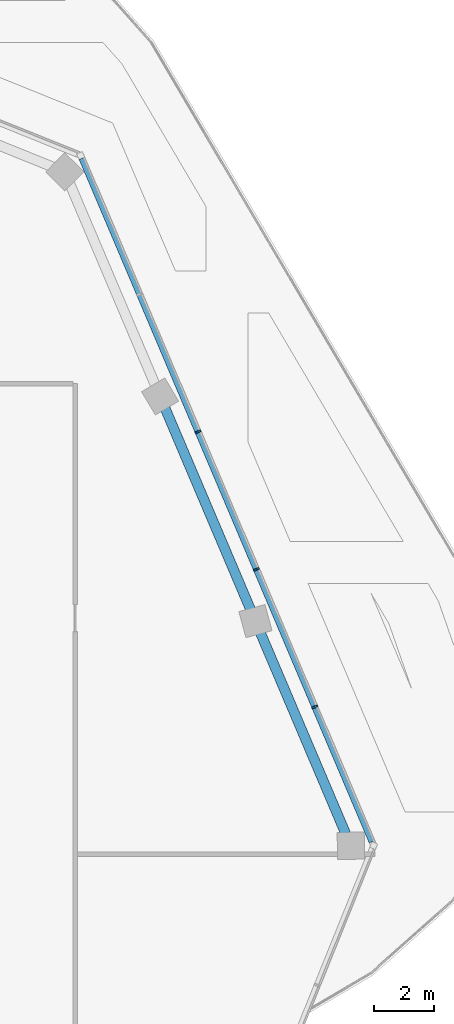
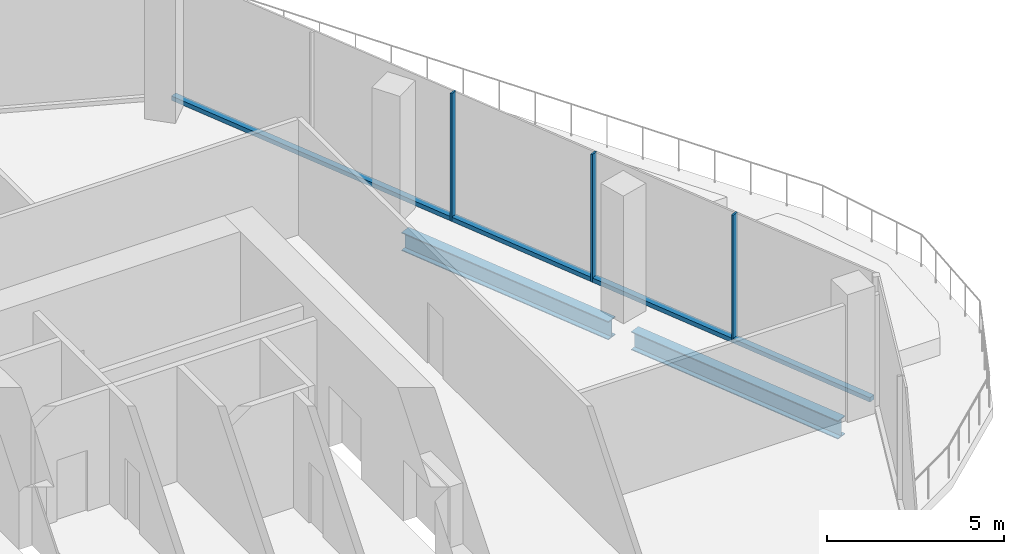
# One storey, part 8 of 15: 4 members, 2 beams, 1 element without a shape of its own.
"""IFC4 building model written with IfcOpenShell, lengths in metres."""

from ifc_helpers import new_model, si_unit, direction, frame, origin, origin_2d, place, context, subcontext, project, spatial, rectangle, i_section, extrude, material, material_profile, profile_set, type_object, element, aggregate, save


model = new_model("IFC4")

# Units and contexts
model_context = context("Model", 3, precision=1e-05, world=origin(), true_north=direction((0.0, 1.0)))
body_context = subcontext(model_context, "Body", "Model", "MODEL_VIEW")
ifc_project = project(units=[si_unit("LENGTHUNIT", "METRE"), si_unit("AREAUNIT", "SQUARE_METRE"), si_unit("VOLUMEUNIT", "CUBIC_METRE"), si_unit("PLANEANGLEUNIT", "RADIAN"), si_unit("MASSUNIT", "GRAM", prefix="KILO")], contexts=[model_context])

# Site, building, storey
site_placement = place(None, origin())
site = spatial("IfcSite", under=ifc_project, at=site_placement, CompositionType="ELEMENT")
building_placement = place(site_placement, origin())
building = spatial("IfcBuilding", under=site, at=building_placement, Name="Orlundy Tower", CompositionType="ELEMENT")
storey_placement = place(building_placement, frame((0.0, 0.0, 299.89990234375)))
storey = spatial("IfcBuildingStorey", under=building, at=storey_placement, Name="L80", CompositionType="ELEMENT", Elevation=299.89990234375)

# Curtain wall, members
ifc_material_1 = material(Name="Aluminium bronze anodised", Category="aluminium")
curtain_wall_type = type_object("IfcCurtainWallType", Name="CW4 wall", PredefinedType="NOTDEFINED", material=ifc_material_1)
curtain_wall_placement = place(storey_placement, origin())
curtain_wall = element("IfcCurtainWall", 1, at=curtain_wall_placement, inside=storey, type_object=curtain_wall_type, Name="CW4 run 00", PredefinedType="NOTDEFINED")
ifc_material_2 = material(Name="Aluminium bronze anodised", Category="aluminium")
ifc_material_profile_1 = material_profile(ifc_material_2, rectangle(XDim=0.199951171875, YDim=0.06005859375, at=origin_2d()), Name="CW4 mullion 60x200")
ifc_profile_set_1 = profile_set([ifc_material_profile_1], Name="Aluminium bronze anodised")
member_type_1 = type_object("IfcMemberType", Name="CW4 mullion 60x200", PredefinedType="MULLION", material=ifc_profile_set_1)
member_1_placement = place(storey_placement, frame((26.736572265625, 14.048828125, 0.0), z_axis=(0.0, 0.0, 1.0), x_axis=(0.920506804854, 0.390726531244, 0.0)))
member_1 = element("IfcMember", 2, at=member_1_placement, type_object=member_type_1, Name="CW4 mullion 3", PredefinedType="MULLION", context=body_context, shape_type="SweptSolid", body=[
    extrude(rectangle(XDim=0.199951171875, YDim=0.06005859375, at=origin_2d()), origin(), (0.0, 0.0, 1.0), 4.400146484375),
])
member_2_placement = place(storey_placement, frame((28.6787109375, 9.473388671875, 0.0), z_axis=(0.0, 0.0, 1.0), x_axis=(0.920506804854, 0.390726531244, 0.0)))
member_2 = element("IfcMember", 3, at=member_2_placement, type_object=member_type_1, Name="CW4 mullion 4", PredefinedType="MULLION", context=body_context, shape_type="SweptSolid", body=[
    extrude(rectangle(XDim=0.199951171875, YDim=0.06005859375, at=origin_2d()), origin(), (0.0, 0.0, 1.0), 4.400146484375),
])
member_3_placement = place(storey_placement, frame((30.620849609375, 4.897705078125, 0.0), z_axis=(0.0, 0.0, 1.0), x_axis=(0.920506804854, 0.390726531244, 0.0)))
member_3 = element("IfcMember", 4, at=member_3_placement, type_object=member_type_1, Name="CW4 mullion 5", PredefinedType="MULLION", context=body_context, shape_type="SweptSolid", body=[
    extrude(rectangle(XDim=0.199951171875, YDim=0.06005859375, at=origin_2d()), origin(), (0.0, 0.0, 1.0), 4.400146484375),
])
ifc_material_3 = material(Name="Aluminium bronze anodised", Category="aluminium")
ifc_material_profile_2 = material_profile(ifc_material_3, rectangle(XDim=0.199951171875, YDim=0.14990234375, at=origin_2d()), Name="CW4 transom 200x150")
ifc_profile_set_2 = profile_set([ifc_material_profile_2], Name="Aluminium bronze anodised")
member_type_2 = type_object("IfcMemberType", Name="CW4 transom 200x150", PredefinedType="USERDEFINED", material=ifc_profile_set_2)
member_4_placement = place(storey_placement, frame((22.875, 23.146240234375, 0.0751953125), z_axis=(0.390720451262, -0.920509385594, 0.0), x_axis=(0.920509385594, 0.390720451262, 0.0)))
member_4 = element("IfcMember", 5, at=member_4_placement, type_object=member_type_2, Name="CW4 transom", ObjectType="TRANSOM", PredefinedType="USERDEFINED", context=body_context, shape_type="SweptSolid", body=[
    extrude(rectangle(XDim=0.199951171875, YDim=0.14990234375, at=origin_2d()), origin(), (0.0, 0.0, 1.0), 24.6953125),
])
aggregate(curtain_wall, [member_1, member_2, member_3, member_4])

# Beams
ifc_material_4 = material(Name="Steel ASTM A992 Gr 50", Category="steel")
ifc_material_profile_3 = material_profile(ifc_material_4, i_section(OverallWidth=0.3291015625, OverallDepth=0.635009765625, WebThickness=0.017822265625, FlangeThickness=0.031005859375, at=origin_2d()), Name="W24X162")
ifc_profile_set_3 = profile_set([ifc_material_profile_3], Name="Steel ASTM A992 Gr 50")
beam_type = type_object("IfcBeamType", Name="TERRACE EDGE BEAM beam W24X162", PredefinedType="BEAM", material=ifc_profile_set_3)
for number, where, z_axis, x_axis, name in (
    (6, (31.662841796875, 0.65087890625, -0.767333984375), (-0.390748011078, 0.920497687036, 0.0), (-0.920497687036, -0.390748011078, 0.0), "Terrace edge beam L80-1-01"),
    (7, (28.49072265625, 8.123779296875, -0.767333984375), (-0.390707690624, 0.920514801884, 0.0), (-0.920514801884, -0.390707690624, 0.0), "Terrace edge beam L80-1-02"),
):
    element("IfcBeam", number, at=place(storey_placement, frame(where, z_axis=z_axis, x_axis=x_axis)), inside=storey, type_object=beam_type, Name=name, PredefinedType="BEAM", context=body_context, shape_type="SweptSolid", body=[
        extrude(i_section(OverallWidth=0.3291015625, OverallDepth=0.635009765625, WebThickness=0.017822265625, FlangeThickness=0.031005859375, at=origin_2d()), origin(), (0.0, 0.0, 1.0), 7.308349609375),
    ])

save(model, "model.ifc")
